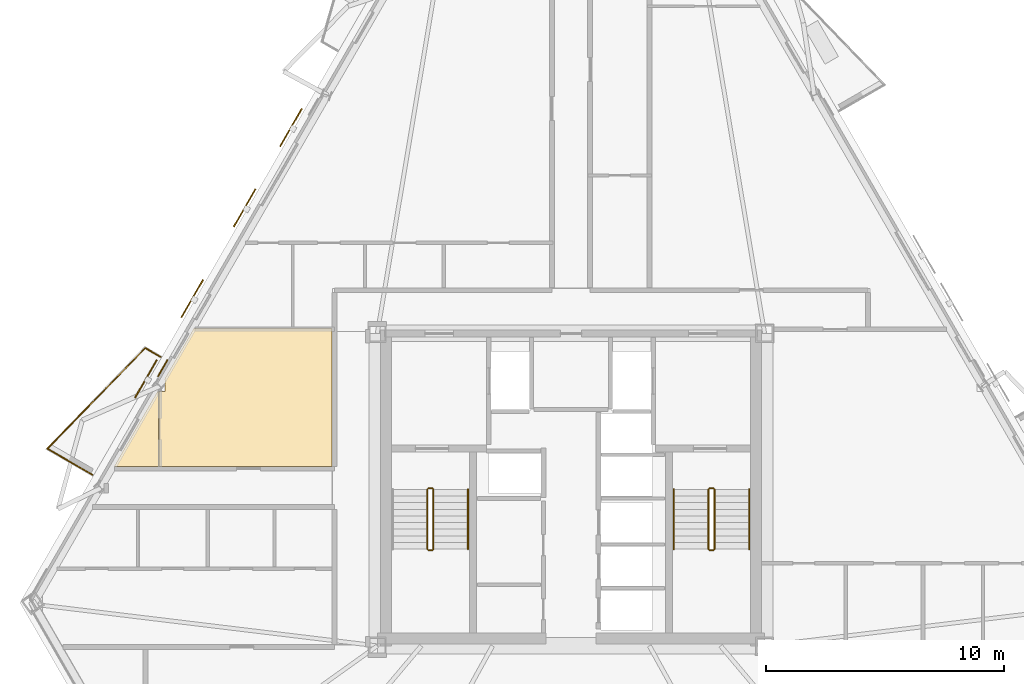
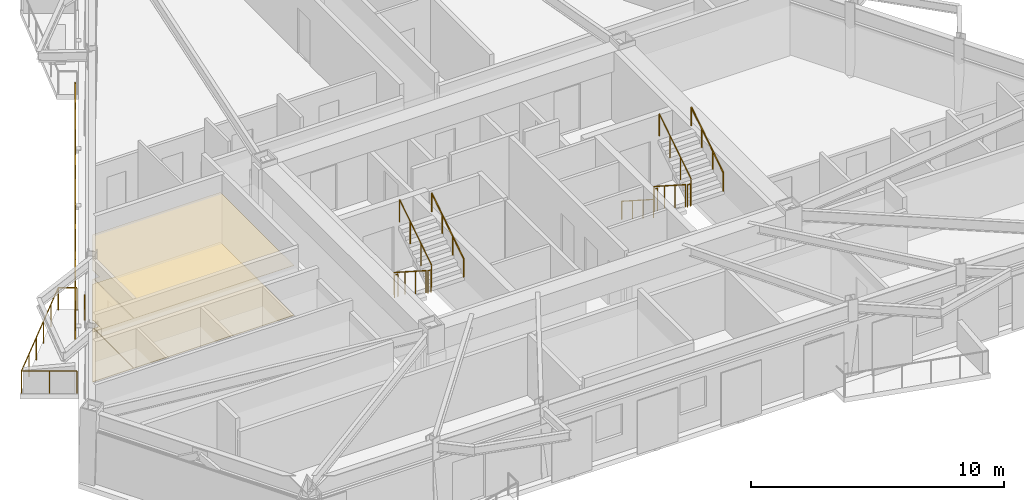
# One storey, part 8 of 9: 14 railings, 5 coverings, 4 shading devices.
"""IFC4 building model written with IfcOpenShell, lengths in metres."""

from ifc_helpers import new_model, si_unit, direction, frame, origin, origin_2d, place, context, subcontext, project, spatial, polyline, rectangle, circle, outline, extrude, material, layer, layer_set, type_object, element, save


model = new_model("IFC4")

# Units and contexts
model_context = context("Model", 3, precision=1e-05, world=origin(), true_north=direction((0.0, 1.0)))
body_context = subcontext(model_context, "Body", "Model", "MODEL_VIEW")
ifc_project = project(units=[si_unit("LENGTHUNIT", "METRE"), si_unit("AREAUNIT", "SQUARE_METRE"), si_unit("VOLUMEUNIT", "CUBIC_METRE"), si_unit("PLANEANGLEUNIT", "RADIAN"), si_unit("MASSUNIT", "GRAM", prefix="KILO")], contexts=[model_context])

# Site, building, storey
site_placement = place(None, origin())
site = spatial("IfcSite", under=ifc_project, at=site_placement, CompositionType="ELEMENT")
building_placement = place(site_placement, origin())
building = spatial("IfcBuilding", under=site, at=building_placement, Name="Oramaril Tower", CompositionType="ELEMENT")
storey_placement = place(building_placement, frame((0.0, 0.0, 138.60009765625)))
storey = spatial("IfcBuildingStorey", under=building, at=storey_placement, Name="L36", CompositionType="ELEMENT", Elevation=138.60009765625)

# Coverings
ifc_material_1 = material(Name="Mineral Fibre Acoustic Ceiling")
ifc_layer_1 = layer(ifc_material_1, 0.02001953125)
ifc_layer_set_1 = layer_set([ifc_layer_1], Name="CVT-CEIL")
covering_type_1 = type_object("IfcCoveringType", Name="CVT-CEIL", PredefinedType="CEILING", material=ifc_layer_set_1)
covering_1_placement = place(storey_placement, frame((0.0, 0.0, 2.39990234375)))
element("IfcCovering", 1, at=covering_1_placement, inside=storey, type_object=covering_type_1, Name="L36 Acoustic Suspended Ceiling 14", PredefinedType="CEILING", context=body_context, shape_type="SweptSolid", body=[
    extrude(outline(polyline([(20.160888671875, 21.710205078125), (20.41650390625, 21.710205078125), (20.41650390625, 22.201171875), (20.38671875, 22.201171875), (21.634033203125, 24.362060546875), (27.449951171875, 24.362060546875), (27.449951171875, 24.239990234375), (27.4501953125, 24.238037109375), (27.450439453125, 24.236083984375), (27.450927734375, 24.234130859375), (27.451416015625, 24.232421875), (27.452392578125, 24.230712890625), (27.45263671875, 24.22998046875), (27.452392578125, 24.2294921875), (27.451416015625, 24.227783203125), (27.450927734375, 24.225830078125), (27.450439453125, 24.223876953125), (27.4501953125, 24.221923828125), (27.449951171875, 24.219970703125), (27.449951171875, 18.550048828125), (20.160888671875, 18.550048828125), (20.160888671875, 21.710205078125)])), origin(), (0.0, 0.0, 1.0), 0.02001953125),
])
covering_2_placement = place(storey_placement, frame((0.0, 0.0, 2.39990234375)))
element("IfcCovering", 2, at=covering_2_placement, inside=storey, type_object=covering_type_1, Name="L36 Acoustic Suspended Ceiling 15", PredefinedType="CEILING", context=body_context, shape_type="SweptSolid", body=[
    extrude(outline(polyline([(20.140869140625, 21.710205078125), (20.140869140625, 18.550048828125), (18.278564453125, 18.550048828125), (20.10302734375, 21.710205078125), (20.140869140625, 21.710205078125)])), origin(), (0.0, 0.0, 1.0), 0.02001953125),
])
ifc_material_2 = material(Name="Warm Cream Limestone", Category="masonry")
ifc_layer_2 = layer(ifc_material_2, 0.050048828125)
ifc_layer_set_2 = layer_set([ifc_layer_2], Name="CVT-CLD")
covering_type_2 = type_object("IfcCoveringType", Name="CVT-CLD", PredefinedType="CLADDING", material=ifc_layer_set_2)
covering_3_placement = place(storey_placement, frame((20.320556640625, 22.68896484375, 0.0400390625), z_axis=(0.0, 0.0, 1.0), x_axis=(-0.5, -0.866025403784, 0.0)))
element("IfcCovering", 3, at=covering_3_placement, inside=storey, type_object=covering_type_2, Name="L36 Warm Cream Limestone Spandrel Cladding", PredefinedType="CLADDING", context=body_context, shape_type="SweptSolid", body=[
    extrude(rectangle(XDim=0.800048828125, YDim=0.050048828125, at=origin_2d()), origin(), (0.0, 0.0, 1.0), 0.679931640625),
])
ifc_material_3 = material(Name="Honed Quartzite Stone Flooring", Category="masonry")
ifc_layer_3 = layer(ifc_material_3, 0.02490234375)
ifc_layer_set_3 = layer_set([ifc_layer_3], Name="CVT-FLR")
covering_type_3 = type_object("IfcCoveringType", Name="CVT-FLR", PredefinedType="FLOORING", material=ifc_layer_set_3)
covering_4_placement = place(storey_placement, origin())
element("IfcCovering", 4, at=covering_4_placement, inside=storey, type_object=covering_type_3, Name="L36 Honed Stone Floor Finish 14", PredefinedType="FLOORING", context=body_context, shape_type="SweptSolid", body=[
    extrude(outline(polyline([(20.160888671875, 21.710205078125), (20.41650390625, 21.710205078125), (20.41650390625, 22.201171875), (20.38671875, 22.201171875), (21.634033203125, 24.362060546875), (27.449951171875, 24.362060546875), (27.449951171875, 24.239990234375), (27.4501953125, 24.238037109375), (27.450439453125, 24.236083984375), (27.450927734375, 24.234130859375), (27.451416015625, 24.232421875), (27.452392578125, 24.230712890625), (27.45263671875, 24.22998046875), (27.452392578125, 24.2294921875), (27.451416015625, 24.227783203125), (27.450927734375, 24.225830078125), (27.450439453125, 24.223876953125), (27.4501953125, 24.221923828125), (27.449951171875, 24.219970703125), (27.449951171875, 18.550048828125), (20.160888671875, 18.550048828125), (20.160888671875, 21.710205078125)])), origin(), (0.0, 0.0, 1.0), 0.02490234375),
])
covering_5_placement = place(storey_placement, origin())
element("IfcCovering", 5, at=covering_5_placement, inside=storey, type_object=covering_type_3, Name="L36 Honed Stone Floor Finish 15", PredefinedType="FLOORING", context=body_context, shape_type="SweptSolid", body=[
    extrude(outline(polyline([(20.140869140625, 21.710205078125), (20.140869140625, 18.550048828125), (18.278564453125, 18.550048828125), (20.10302734375, 21.710205078125), (20.140869140625, 21.710205078125)])), origin(), (0.0, 0.0, 1.0), 0.02490234375),
])

# Railings
ifc_material_4 = material(Name="Stainless Steel 316L", Category="steel")
railing_type_1 = type_object("IfcRailingType", Name="RLT-GRD", PredefinedType="GUARDRAIL", material=ifc_material_4)
railing_1_placement = place(storey_placement, frame((17.365234375, 18.2001953125, 0.0)))
element("IfcRailing", 6, at=railing_1_placement, inside=storey, type_object=railing_type_1, Name="L36 Balcony Guardrail L36-BAL-NW2.1", PredefinedType="GUARDRAIL", context=body_context, shape_type="SweptSolid", body=[
    extrude(circle(Radius=0.02392578125, at=origin_2d()), frame((0.0, 0.0, 1.076171875), z_axis=(-0.866048343933, 0.499960264392, 0.0), x_axis=(-0.499960264392, -0.866048343933, 0.0)), (0.0, 0.0, 1.0), 2.192138671875),
    extrude(circle(Radius=0.02099609375, at=origin_2d()), origin(), (0.0, 0.0, 1.0), 1.052001953125),
    extrude(circle(Radius=0.02099609375, at=origin_2d()), frame((-0.94921875, 0.5478515625, 0.0)), (0.0, 0.0, 1.0), 1.052001953125),
    extrude(circle(Radius=0.02099609375, at=origin_2d()), frame((-1.8984375, 1.095947265625, 0.0)), (0.0, 0.0, 1.0), 1.052001953125),
])
railing_2_placement = place(storey_placement, frame((15.466796875, 19.296142578125, 0.0)))
element("IfcRailing", 7, at=railing_2_placement, inside=storey, type_object=railing_type_1, Name="L36 Balcony Guardrail L36-BAL-NW2.2", PredefinedType="GUARDRAIL", context=body_context, shape_type="SweptSolid", body=[
    extrude(circle(Radius=0.02392578125, at=origin_2d()), frame((0.0, 0.0, 1.076171875), z_axis=(0.697186915353, 0.716889395277, 0.0), x_axis=(-0.716889395277, 0.697186915353, 0.0)), (0.0, 0.0, 1.0), 5.91064453125),
    extrude(circle(Radius=0.02099609375, at=origin_2d()), origin(), (0.0, 0.0, 1.0), 1.052001953125),
    extrude(circle(Radius=0.02099609375, at=origin_2d()), frame((0.82421875, 0.847412109375, 0.0)), (0.0, 0.0, 1.0), 1.052001953125),
    extrude(circle(Radius=0.02099609375, at=origin_2d()), frame((1.6484375, 1.69482421875, 0.0)), (0.0, 0.0, 1.0), 1.052001953125),
    extrude(circle(Radius=0.02099609375, at=origin_2d()), frame((2.472412109375, 2.54248046875, 0.0)), (0.0, 0.0, 1.0), 1.052001953125),
    extrude(circle(Radius=0.02099609375, at=origin_2d()), frame((3.296630859375, 3.389892578125, 0.0)), (0.0, 0.0, 1.0), 1.052001953125),
    extrude(circle(Radius=0.02099609375, at=origin_2d()), frame((4.120849609375, 4.2373046875, 0.0)), (0.0, 0.0, 1.0), 1.052001953125),
])
railing_3_placement = place(storey_placement, frame((19.587646484375, 23.533447265625, 0.0)))
element("IfcRailing", 8, at=railing_3_placement, inside=storey, type_object=railing_type_1, Name="L36 Balcony Guardrail L36-BAL-NW2.3", PredefinedType="GUARDRAIL", context=body_context, shape_type="SweptSolid", body=[
    extrude(circle(Radius=0.02392578125, at=origin_2d()), frame((0.0, 0.0, 1.076171875), z_axis=(0.866108878364, -0.499855389907, 0.0), x_axis=(0.499855389907, 0.866108878364, 0.0)), (0.0, 0.0, 1.0), 0.741943359375),
    extrude(circle(Radius=0.02099609375, at=origin_2d()), origin(), (0.0, 0.0, 1.0), 1.052001953125),
    extrude(circle(Radius=0.02099609375, at=origin_2d()), frame((0.642578125, -0.370849609375, 0.0)), (0.0, 0.0, 1.0), 1.052001953125),
])
railing_4_placement = place(storey_placement, frame((31.4599609375, 17.590087890625, 0.179931640625)))
element("IfcRailing", 9, at=railing_4_placement, inside=storey, type_object=railing_type_1, Name="L36 ST-1 stair guard 1", PredefinedType="GUARDRAIL", context=body_context, shape_type="SweptSolid", body=[
    extrude(circle(Radius=0.02392578125, at=origin_2d()), frame((0.0, 0.0, 1.076171875), z_axis=(0.0, -0.841199657755, 0.540724639528), x_axis=(1.0, 0.0, 0.0)), (0.0, 0.0, 1.0), 2.995849609375),
    extrude(circle(Radius=0.02099609375, at=origin_2d()), origin(), (0.0, 0.0, 1.0), 1.052001953125),
    extrude(circle(Radius=0.02099609375, at=origin_2d()), frame((0.0, -0.840087890625, 0.5400390625)), (0.0, 0.0, 1.0), 1.052001953125),
    extrude(circle(Radius=0.02099609375, at=origin_2d()), frame((0.0, -1.679931640625, 1.079833984375)), (0.0, 0.0, 1.0), 1.052001953125),
    extrude(circle(Radius=0.02099609375, at=origin_2d()), frame((0.0, -2.52001953125, 1.619873046875)), (0.0, 0.0, 1.0), 1.052001953125),
])
railing_5_placement = place(storey_placement, frame((31.510009765625, 15.02001953125, 1.7998046875)))
element("IfcRailing", 10, at=railing_5_placement, inside=storey, type_object=railing_type_1, Name="L36 ST-1 stair guard 2", PredefinedType="GUARDRAIL", context=body_context, shape_type="SweptSolid", body=[
    extrude(circle(Radius=0.02392578125, at=origin_2d()), frame((0.0, 0.0, 1.076171875), z_axis=(1.0, 0.0, 0.0), x_axis=(0.0, 1.0, 0.0)), (0.0, 0.0, 1.0), 0.14990234375),
    extrude(circle(Radius=0.02099609375, at=origin_2d()), origin(), (0.0, 0.0, 1.0), 1.052001953125),
    extrude(circle(Radius=0.02099609375, at=origin_2d()), frame((0.14990234375, 0.0, 0.0)), (0.0, 0.0, 1.0), 1.052001953125),
])
railing_6_placement = place(storey_placement, frame((31.7099609375, 15.070068359375, 1.97998046875)))
element("IfcRailing", 11, at=railing_6_placement, inside=storey, type_object=railing_type_1, Name="L36 ST-1 stair guard 3", PredefinedType="GUARDRAIL", context=body_context, shape_type="SweptSolid", body=[
    extrude(circle(Radius=0.02392578125, at=origin_2d()), frame((0.0, 0.0, 1.076171875), z_axis=(0.0, 0.841199657755, 0.540724639528), x_axis=(-1.0, 0.0, 0.0)), (0.0, 0.0, 1.0), 2.995849609375),
    extrude(circle(Radius=0.02099609375, at=origin_2d()), origin(), (0.0, 0.0, 1.0), 1.052001953125),
    extrude(circle(Radius=0.02099609375, at=origin_2d()), frame((0.0, 0.840087890625, 0.5400390625)), (0.0, 0.0, 1.0), 1.052001953125),
    extrude(circle(Radius=0.02099609375, at=origin_2d()), frame((0.0, 1.679931640625, 1.079833984375)), (0.0, 0.0, 1.0), 1.052001953125),
    extrude(circle(Radius=0.02099609375, at=origin_2d()), frame((0.0, 2.52001953125, 1.619873046875)), (0.0, 0.0, 1.0), 1.052001953125),
])
railing_7_placement = place(storey_placement, frame((31.510009765625, 17.639892578125, 0.0)))
element("IfcRailing", 12, at=railing_7_placement, inside=storey, type_object=railing_type_1, Name="L36 ST-1 stair guard 4", PredefinedType="GUARDRAIL", context=body_context, shape_type="SweptSolid", body=[
    extrude(circle(Radius=0.02392578125, at=origin_2d()), frame((0.0, 0.0, 1.076171875), z_axis=(1.0, 0.0, 0.0), x_axis=(0.0, 1.0, 0.0)), (0.0, 0.0, 1.0), 0.14990234375),
    extrude(circle(Radius=0.02099609375, at=origin_2d()), origin(), (0.0, 0.0, 1.0), 1.052001953125),
    extrude(circle(Radius=0.02099609375, at=origin_2d()), frame((0.14990234375, 0.0, 0.0)), (0.0, 0.0, 1.0), 1.052001953125),
])
railing_8_placement = place(storey_placement, frame((43.2900390625, 17.590087890625, 0.179931640625)))
element("IfcRailing", 13, at=railing_8_placement, inside=storey, type_object=railing_type_1, Name="L36 ST-2 stair guard 1", PredefinedType="GUARDRAIL", context=body_context, shape_type="SweptSolid", body=[
    extrude(circle(Radius=0.02392578125, at=origin_2d()), frame((0.0, 0.0, 1.076171875), z_axis=(0.0, -0.841199657755, 0.540724639528), x_axis=(1.0, 0.0, 0.0)), (0.0, 0.0, 1.0), 2.995849609375),
    extrude(circle(Radius=0.02099609375, at=origin_2d()), origin(), (0.0, 0.0, 1.0), 1.052001953125),
    extrude(circle(Radius=0.02099609375, at=origin_2d()), frame((0.0, -0.840087890625, 0.5400390625)), (0.0, 0.0, 1.0), 1.052001953125),
    extrude(circle(Radius=0.02099609375, at=origin_2d()), frame((0.0, -1.679931640625, 1.079833984375)), (0.0, 0.0, 1.0), 1.052001953125),
    extrude(circle(Radius=0.02099609375, at=origin_2d()), frame((0.0, -2.52001953125, 1.619873046875)), (0.0, 0.0, 1.0), 1.052001953125),
])
railing_9_placement = place(storey_placement, frame((43.340087890625, 15.02001953125, 1.7998046875)))
element("IfcRailing", 14, at=railing_9_placement, inside=storey, type_object=railing_type_1, Name="L36 ST-2 stair guard 2", PredefinedType="GUARDRAIL", context=body_context, shape_type="SweptSolid", body=[
    extrude(circle(Radius=0.02392578125, at=origin_2d()), frame((0.0, 0.0, 1.076171875), z_axis=(1.0, 0.0, 0.0), x_axis=(0.0, 1.0, 0.0)), (0.0, 0.0, 1.0), 0.14990234375),
    extrude(circle(Radius=0.02099609375, at=origin_2d()), origin(), (0.0, 0.0, 1.0), 1.052001953125),
    extrude(circle(Radius=0.02099609375, at=origin_2d()), frame((0.14990234375, 0.0, 0.0)), (0.0, 0.0, 1.0), 1.052001953125),
])
railing_10_placement = place(storey_placement, frame((43.5400390625, 15.070068359375, 1.97998046875)))
element("IfcRailing", 15, at=railing_10_placement, inside=storey, type_object=railing_type_1, Name="L36 ST-2 stair guard 3", PredefinedType="GUARDRAIL", context=body_context, shape_type="SweptSolid", body=[
    extrude(circle(Radius=0.02392578125, at=origin_2d()), frame((0.0, 0.0, 1.076171875), z_axis=(0.0, 0.841199657755, 0.540724639528), x_axis=(-1.0, 0.0, 0.0)), (0.0, 0.0, 1.0), 2.995849609375),
    extrude(circle(Radius=0.02099609375, at=origin_2d()), origin(), (0.0, 0.0, 1.0), 1.052001953125),
    extrude(circle(Radius=0.02099609375, at=origin_2d()), frame((0.0, 0.840087890625, 0.5400390625)), (0.0, 0.0, 1.0), 1.052001953125),
    extrude(circle(Radius=0.02099609375, at=origin_2d()), frame((0.0, 1.679931640625, 1.079833984375)), (0.0, 0.0, 1.0), 1.052001953125),
    extrude(circle(Radius=0.02099609375, at=origin_2d()), frame((0.0, 2.52001953125, 1.619873046875)), (0.0, 0.0, 1.0), 1.052001953125),
])
railing_11_placement = place(storey_placement, frame((43.340087890625, 17.639892578125, 0.0)))
element("IfcRailing", 16, at=railing_11_placement, inside=storey, type_object=railing_type_1, Name="L36 ST-2 stair guard 4", PredefinedType="GUARDRAIL", context=body_context, shape_type="SweptSolid", body=[
    extrude(circle(Radius=0.02392578125, at=origin_2d()), frame((0.0, 0.0, 1.076171875), z_axis=(1.0, 0.0, 0.0), x_axis=(0.0, 1.0, 0.0)), (0.0, 0.0, 1.0), 0.14990234375),
    extrude(circle(Radius=0.02099609375, at=origin_2d()), origin(), (0.0, 0.0, 1.0), 1.052001953125),
    extrude(circle(Radius=0.02099609375, at=origin_2d()), frame((0.14990234375, 0.0, 0.0)), (0.0, 0.0, 1.0), 1.052001953125),
])
ifc_material_5 = material(Name="Stainless Steel 316L", Category="steel")
railing_type_2 = type_object("IfcRailingType", Name="RLT-HND", PredefinedType="HANDRAIL", material=ifc_material_5)
railing_12_placement = place(storey_placement, frame((33.169921875, 15.070068359375, 1.97998046875)))
element("IfcRailing", 17, at=railing_12_placement, inside=storey, type_object=railing_type_2, Name="L36 ST-1 stair handrail 2", PredefinedType="HANDRAIL", context=body_context, shape_type="SweptSolid", body=[
    extrude(circle(Radius=0.02392578125, at=origin_2d()), frame((0.0, 0.0, 0.8759765625), z_axis=(0.0, 0.841199657755, 0.540724639528), x_axis=(-1.0, 0.0, 0.0)), (0.0, 0.0, 1.0), 2.995849609375),
    extrude(circle(Radius=0.02099609375, at=origin_2d()), origin(), (0.0, 0.0, 1.0), 0.851806640625),
    extrude(circle(Radius=0.02099609375, at=origin_2d()), frame((0.0, 0.840087890625, 0.5400390625)), (0.0, 0.0, 1.0), 0.851806640625),
    extrude(circle(Radius=0.02099609375, at=origin_2d()), frame((0.0, 1.679931640625, 1.079833984375)), (0.0, 0.0, 1.0), 0.851806640625),
    extrude(circle(Radius=0.02099609375, at=origin_2d()), frame((0.0, 2.52001953125, 1.619873046875)), (0.0, 0.0, 1.0), 0.851806640625),
])
railing_13_placement = place(storey_placement, frame((41.830078125, 17.590087890625, 0.179931640625)))
element("IfcRailing", 18, at=railing_13_placement, inside=storey, type_object=railing_type_2, Name="L36 ST-2 stair handrail 1", PredefinedType="HANDRAIL", context=body_context, shape_type="SweptSolid", body=[
    extrude(circle(Radius=0.02392578125, at=origin_2d()), frame((0.0, 0.0, 0.8759765625), z_axis=(0.0, -0.841199657755, 0.540724639528), x_axis=(1.0, 0.0, 0.0)), (0.0, 0.0, 1.0), 2.995849609375),
    extrude(circle(Radius=0.02099609375, at=origin_2d()), origin(), (0.0, 0.0, 1.0), 0.851806640625),
    extrude(circle(Radius=0.02099609375, at=origin_2d()), frame((0.0, -0.840087890625, 0.5400390625)), (0.0, 0.0, 1.0), 0.851806640625),
    extrude(circle(Radius=0.02099609375, at=origin_2d()), frame((0.0, -1.679931640625, 1.079833984375)), (0.0, 0.0, 1.0), 0.851806640625),
    extrude(circle(Radius=0.02099609375, at=origin_2d()), frame((0.0, -2.52001953125, 1.619873046875)), (0.0, 0.0, 1.0), 0.851806640625),
])
railing_14_placement = place(storey_placement, frame((45.0, 15.070068359375, 1.97998046875)))
element("IfcRailing", 19, at=railing_14_placement, inside=storey, type_object=railing_type_2, Name="L36 ST-2 stair handrail 2", PredefinedType="HANDRAIL", context=body_context, shape_type="SweptSolid", body=[
    extrude(circle(Radius=0.02392578125, at=origin_2d()), frame((0.0, 0.0, 0.8759765625), z_axis=(0.0, 0.841199657755, 0.540724639528), x_axis=(-1.0, 0.0, 0.0)), (0.0, 0.0, 1.0), 2.995849609375),
    extrude(circle(Radius=0.02099609375, at=origin_2d()), origin(), (0.0, 0.0, 1.0), 0.851806640625),
    extrude(circle(Radius=0.02099609375, at=origin_2d()), frame((0.0, 0.840087890625, 0.5400390625)), (0.0, 0.0, 1.0), 0.851806640625),
    extrude(circle(Radius=0.02099609375, at=origin_2d()), frame((0.0, 1.679931640625, 1.079833984375)), (0.0, 0.0, 1.0), 0.851806640625),
    extrude(circle(Radius=0.02099609375, at=origin_2d()), frame((0.0, 2.52001953125, 1.619873046875)), (0.0, 0.0, 1.0), 0.851806640625),
])

# Shading devices
for number, where, z_axis, x_axis, name in (
    (20, (21.562744140625, 25.614501953125, -0.02001953125), (0.0, 0.0, 1.0), (-0.5, -0.866025403784, 0.0), "L36 Perforated Ceramic Solar Screen"),
    (21, (19.61279296875, 22.237060546875, -0.02001953125), (0.0, 0.0, 1.0), (-0.5, -0.866025403784, 0.0), "L36 Perforated Ceramic Solar Screen"),
    (22, (25.716552734375, 32.80908203125, -0.02001953125), (0.0, 0.0, 1.0), (-0.5, -0.866025403784, 0.0), "L36 Perforated Ceramic Solar Screen"),
    (23, (23.7666015625, 29.431640625, -0.02001953125), (0.0, 0.0, 1.0), (-0.5, -0.866025403784, 0.0), "L36 Perforated Ceramic Solar Screen"),
):
    element("IfcShadingDevice", number, at=place(storey_placement, frame(where, z_axis=z_axis, x_axis=x_axis)), inside=storey, Name=name, ObjectType="SCREEN", PredefinedType="USERDEFINED", context=body_context, shape_type="SweptSolid", body=[
        extrude(rectangle(XDim=1.8330078125, YDim=0.050048828125, at=origin_2d()), origin(), (0.0, 0.0, 1.0), 2.580078125),
    ])

save(model, "model.ifc")
